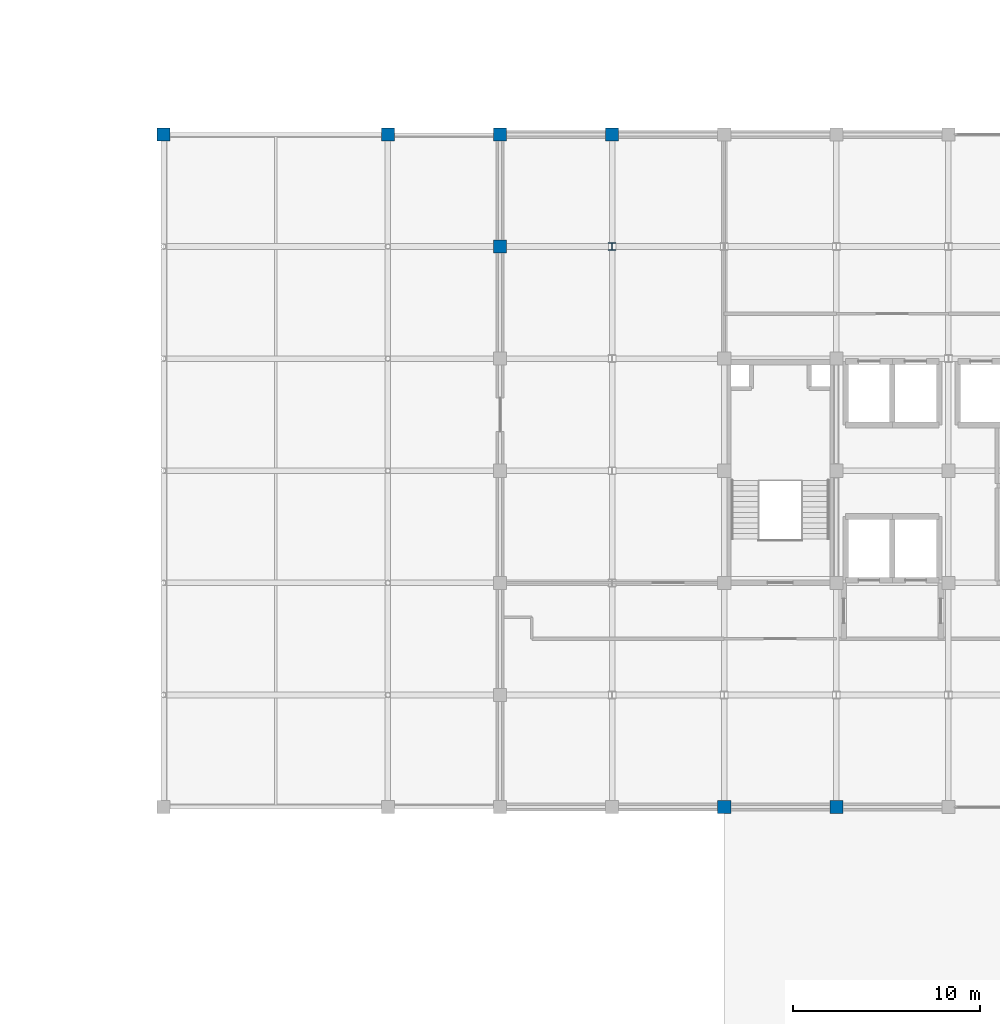
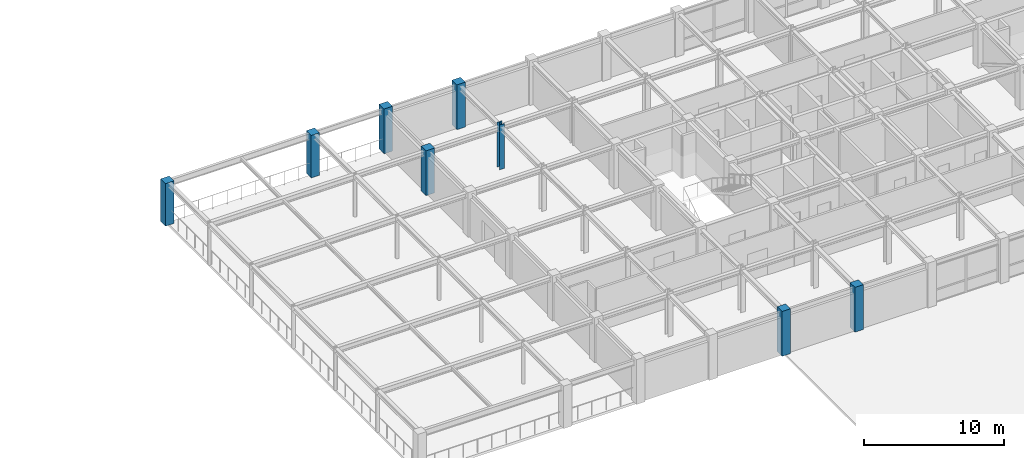
# One storey, part 3 of 25: 8 columns.
"""IFC4 building model written with IfcOpenShell, lengths in metres."""

from ifc_helpers import new_model, si_unit, direction, frame, origin, origin_2d, place, context, subcontext, project, spatial, rectangle, i_section, extrude, material, material_profile, profile_set, type_object, element, save


model = new_model("IFC4")

# Units and contexts
model_context = context("Model", 3, precision=1e-05, world=origin(), true_north=direction((0.0, 1.0)))
body_context = subcontext(model_context, "Body", "Model", "MODEL_VIEW")
ifc_project = project(units=[si_unit("LENGTHUNIT", "METRE"), si_unit("AREAUNIT", "SQUARE_METRE"), si_unit("VOLUMEUNIT", "CUBIC_METRE"), si_unit("PLANEANGLEUNIT", "RADIAN"), si_unit("MASSUNIT", "GRAM", prefix="KILO")], contexts=[model_context])

# Site, building, storey
site_placement = place(None, origin())
site = spatial("IfcSite", under=ifc_project, at=site_placement, CompositionType="ELEMENT")
building_placement = place(site_placement, origin())
building = spatial("IfcBuilding", under=site, at=building_placement, Name="Zlatovratsky Civic Hall", CompositionType="ELEMENT")
storey_placement = place(building_placement, frame((0.0, 0.0, 21.0)))
storey = spatial("IfcBuildingStorey", under=building, at=storey_placement, Name="L05", CompositionType="ELEMENT", Elevation=21.0)

# Columns
ifc_material_1 = material(Name="Concrete C35/45 (B40)", Category="concrete")
ifc_material_profile_1 = material_profile(ifc_material_1, rectangle(XDim=0.699951171875, YDim=0.699951171875, at=origin_2d()), Name="RC 700x700")
ifc_profile_set_1 = profile_set([ifc_material_profile_1], Name="Concrete C35/45 (B40)")
column_type_1 = type_object("IfcColumnType", Name="Col_CorePier_RC700", PredefinedType="COLUMN", material=ifc_profile_set_1)
for number, where, z_axis, x_axis, name in (
    (1, (66.0, 72.0, 0.0), (0.0, 0.0, 1.0), (1.0, 0.0, 0.0), "CL-1917"),
    (2, (72.0, 72.0, 0.0), (0.0, 0.0, 1.0), (1.0, 0.0, 0.0), "CL-1918"),
    (3, (54.0, 102.0, 0.0), (0.0, 0.0, 1.0), (1.0, 0.0, 0.0), "CL-1990"),
):
    element("IfcColumn", number, at=place(storey_placement, frame(where, z_axis=z_axis, x_axis=x_axis)), inside=storey, type_object=column_type_1, Name=name, PredefinedType="COLUMN", context=body_context, shape_type="SweptSolid", body=[
        extrude(rectangle(XDim=0.699951171875, YDim=0.699951171875, at=origin_2d()), origin(), (0.0, 0.0, 1.0), 3.89990234375),
    ])
for number, where, z_axis, x_axis, name in (
    (4, (36.0, 108.0, 0.0), (0.0, 0.0, 1.0), (1.0, 0.0, 0.0), "CL-2003"),
    (5, (48.0, 108.0, 0.0), (0.0, 0.0, 1.0), (1.0, 0.0, 0.0), "CL-2004"),
):
    element("IfcColumn", number, at=place(storey_placement, frame(where, z_axis=z_axis, x_axis=x_axis)), inside=storey, type_object=column_type_1, Name=name, PredefinedType="COLUMN", context=body_context, shape_type="SweptSolid", body=[
        extrude(rectangle(XDim=0.699951171875, YDim=0.699951171875, at=origin_2d()), origin(), (0.0, 0.0, 1.0), 3.699951171875),
    ])
for number, where, z_axis, x_axis, name in (
    (6, (54.0, 108.0, 0.0), (0.0, 0.0, 1.0), (1.0, 0.0, 0.0), "CL-2005"),
    (7, (60.0, 108.0, 0.0), (0.0, 0.0, 1.0), (1.0, 0.0, 0.0), "CL-2006"),
):
    element("IfcColumn", number, at=place(storey_placement, frame(where, z_axis=z_axis, x_axis=x_axis)), inside=storey, type_object=column_type_1, Name=name, PredefinedType="COLUMN", context=body_context, shape_type="SweptSolid", body=[
        extrude(rectangle(XDim=0.699951171875, YDim=0.699951171875, at=origin_2d()), origin(), (0.0, 0.0, 1.0), 3.89990234375),
    ])
ifc_material_2 = material(Name="Steel S355", Category="steel")
ifc_material_profile_2 = material_profile(ifc_material_2, i_section(OverallWidth=0.39990234375, OverallDepth=0.39990234375, WebThickness=0.012939453125, FlangeThickness=0.02099609375, FilletRadius=0.02197265625, at=origin_2d()), Name="40K2")
ifc_profile_set_2 = profile_set([ifc_material_profile_2], Name="Steel S355")
column_type_2 = type_object("IfcColumnType", Name="Col_Steel_40K2", PredefinedType="COLUMN", material=ifc_profile_set_2)
column_placement = place(storey_placement, frame((60.0, 102.0, 0.0), z_axis=(0.0, 0.0, 1.0), x_axis=(1.0, 0.0, 0.0)))
element("IfcColumn", 8, at=column_placement, inside=storey, type_object=column_type_2, Name="CL-1991", PredefinedType="COLUMN", context=body_context, shape_type="SweptSolid", body=[
    extrude(i_section(OverallWidth=0.39990234375, OverallDepth=0.39990234375, WebThickness=0.012939453125, FlangeThickness=0.02099609375, FilletRadius=0.02197265625, at=origin_2d()), origin(), (0.0, 0.0, 1.0), 3.89990234375),
])

save(model, "model.ifc")
